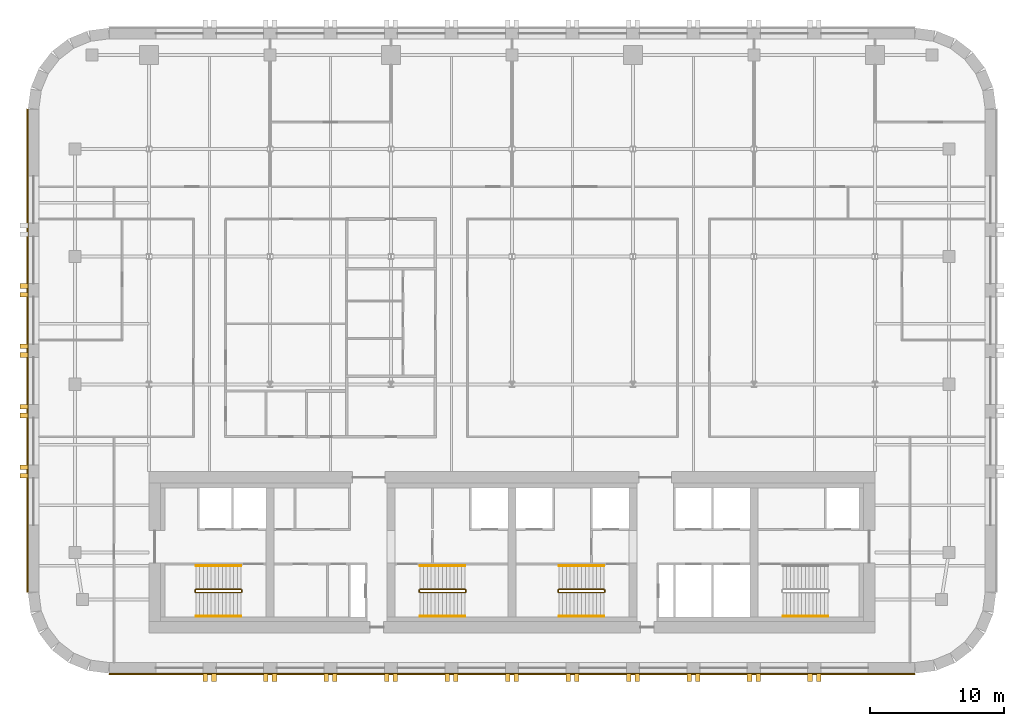
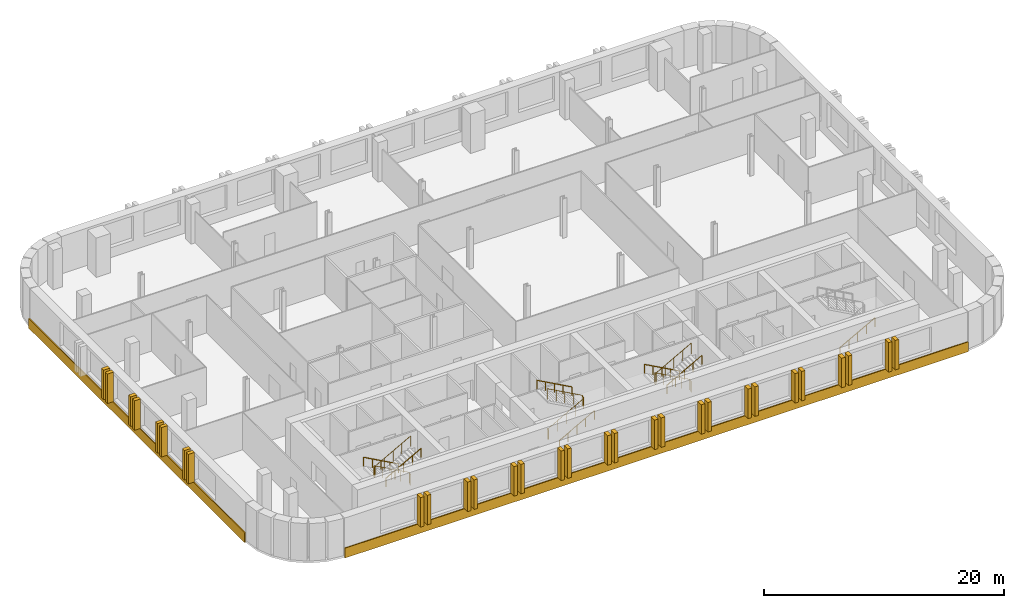
# One storey, part 9 of 10: 32 coverings, 10 railings.
"""IFC4 building model written with IfcOpenShell, lengths in metres."""

import ifcopenshell
import ifcopenshell.guid

model = None  # the IFC model being written
_history = None  # IfcOwnerHistory: only IFC2X3 demands one
_inside = {}  # id of a spatial element -> (the spatial element, [elements in it])
_under = {}  # id of a project, library or spatial element -> (it, [spatial elements below it])
_declared = {}  # id of a project -> (the project, [libraries it declares])
_typed = {}  # id of a type object -> (the type object, [elements of that type])
_made_of = {}  # id of a material, layer set ... -> (it, [elements and type objects made of it])


def new_model(schema):
    """Start an empty IFC model of exactly this schema.

    Asked for "IFC4X3", IfcOpenShell would pick the latest addendum, in which some entities
    have other attributes; the version numbers below select the first issue.
    IFC2X3 requires an IfcOwnerHistory on every rooted entity: one is made here for all.
    """
    global model, _history
    if schema == "IFC4X3":
        model = ifcopenshell.file(schema_version=(4, 3, 0, 0))
    else:
        model = ifcopenshell.file(schema=schema)
    _inside.clear()
    _under.clear()
    _declared.clear()
    _typed.clear()
    _made_of.clear()
    _history = None
    if model.schema == "IFC2X3":
        org = make("IfcOrganization", Name="unknown")
        user = make(
            "IfcPersonAndOrganization",
            ThePerson=make("IfcPerson", FamilyName="unknown"),
            TheOrganization=org,
        )
        app = make(
            "IfcApplication",
            ApplicationDeveloper=org,
            Version="unknown",
            ApplicationFullName="unknown",
            ApplicationIdentifier="unknown",
        )
        _history = make(
            "IfcOwnerHistory",
            OwningUser=user,
            OwningApplication=app,
            ChangeAction="ADDED",
            CreationDate=0,
        )
    return model


def make(cls, **values):
    """One entity of the class cls with the attributes given. An attribute that is None is left unset."""
    return model.create_entity(
        cls, **{name: value for name, value in values.items() if value is not None}
    )


def rooted(cls, **values):
    """An entity with a GlobalId (a new one), such as an element, a storey or a relation."""
    return make(cls, GlobalId=ifcopenshell.guid.new(), OwnerHistory=_history, **values)


def si_unit(unit_type, name, prefix=None):
    """IfcSIUnit, for example si_unit("LENGTHUNIT", "METRE", prefix="MILLI")."""
    return make("IfcSIUnit", UnitType=unit_type, Prefix=prefix, Name=name)


def assignment(units):
    """IfcUnitAssignment: the units of a project."""
    return None if units is None else make("IfcUnitAssignment", Units=units)


def point(xyz):
    """IfcCartesianPoint."""
    return None if xyz is None else make("IfcCartesianPoint", Coordinates=xyz)


def direction(xyz):
    """IfcDirection."""
    return None if xyz is None else make("IfcDirection", DirectionRatios=xyz)


def frame(location, z_axis=None, x_axis=None):
    """IfcAxis2Placement3D, a coordinate frame: its origin and axes. An axis left out is left unset."""
    return make(
        "IfcAxis2Placement3D",
        Location=point(location),
        Axis=direction(z_axis),
        RefDirection=direction(x_axis),
    )


def frame_2d(location, x_axis=None):
    """IfcAxis2Placement2D, a coordinate frame in the plane: its origin and x axis."""
    return make(
        "IfcAxis2Placement2D", Location=point(location), RefDirection=direction(x_axis)
    )


def origin():
    """The frame at (0, 0, 0) with its axes left unset."""
    return frame((0.0, 0.0, 0.0))


def origin_2d():
    """The frame at (0, 0) in the plane with its x axis left unset."""
    return frame_2d((0.0, 0.0))


def place(relative_to, where):
    """IfcLocalPlacement: puts the frame where relative to a parent placement (None: the world)."""
    return make(
        "IfcLocalPlacement", PlacementRelTo=relative_to, RelativePlacement=where
    )


def context(
    kind, dimensions, precision=None, world=None, true_north=None, identifier=None
):
    """IfcGeometricRepresentationContext, for example the 3D "Model" context."""
    return make(
        "IfcGeometricRepresentationContext",
        ContextIdentifier=identifier,
        ContextType=kind,
        CoordinateSpaceDimension=dimensions,
        Precision=precision,
        WorldCoordinateSystem=world,
        TrueNorth=true_north,
    )


def subcontext(parent, identifier, kind, view, scale=None):
    """IfcGeometricRepresentationSubContext, for example "Body" below "Model"."""
    return make(
        "IfcGeometricRepresentationSubContext",
        ContextIdentifier=identifier,
        ContextType=kind,
        ParentContext=parent,
        TargetScale=scale,
        TargetView=view,
    )


def project(units=None, contexts=None):
    """IfcProject with its units and contexts."""
    return rooted(
        "IfcProject",
        Name="project",
        RepresentationContexts=contexts,
        UnitsInContext=assignment(units),
    )


def spatial(cls, under=None, at=None, **own):
    """A site, building, storey or space (cls), placed at a placement, below another one or the project."""
    s = rooted(cls, ObjectPlacement=at, **own)
    if under is not None:
        _under.setdefault(under.id(), (under, []))[1].append(s)
    return s


def polyline(points):
    """IfcPolyline through the points."""
    return make("IfcPolyline", Points=[point(p) for p in points])


def profile(cls, at=None, kind="AREA", **sizes):
    """A parametric profile (cls). Its sizes go by their IFC names, for example OverallWidth=200.0."""
    return make(cls, ProfileType=kind, Position=at, **sizes)


def circle(**sizes):
    """IfcCircleProfileDef."""
    return profile("IfcCircleProfileDef", **sizes)


def outline(outer, holes=None, kind="AREA"):
    """IfcArbitraryClosedProfileDef: a profile drawn as a closed curve; with holes, ...WithVoids."""
    if holes is None:
        return make("IfcArbitraryClosedProfileDef", ProfileType=kind, OuterCurve=outer)
    return make(
        "IfcArbitraryProfileDefWithVoids",
        ProfileType=kind,
        OuterCurve=outer,
        InnerCurves=holes,
    )


def extrude(swept, where, along, depth):
    """IfcExtrudedAreaSolid: the profile swept, set in the frame where, extruded along a direction by depth."""
    return make(
        "IfcExtrudedAreaSolid",
        SweptArea=swept,
        Position=where,
        ExtrudedDirection=direction(along),
        Depth=depth,
    )


def shape(context_of_items, identifier, shape_type, items):
    """IfcShapeRepresentation: the items that make up one representation, for example the "Body"."""
    return make(
        "IfcShapeRepresentation",
        ContextOfItems=context_of_items,
        RepresentationIdentifier=identifier,
        RepresentationType=shape_type,
        Items=items,
    )


def material(Name=None, Category=None):
    """IfcMaterial."""
    return make("IfcMaterial", Name=Name, Category=Category)


def layer(
    of_material, thickness, ventilated=None, Name=None, Category=None, Priority=None
):
    """IfcMaterialLayer: one layer of a wall or slab, of a material (None: an air gap)."""
    return make(
        "IfcMaterialLayer",
        Material=of_material,
        LayerThickness=thickness,
        IsVentilated=ventilated,
        Name=Name,
        Category=Category,
        Priority=Priority,
    )


def layer_set(layers, Name=None):
    """IfcMaterialLayerSet."""
    return make("IfcMaterialLayerSet", MaterialLayers=layers, LayerSetName=Name)


def made_of(thing, what):
    """Note that an element or type object is made of a material, layer set ...; save() writes the relation."""
    if what is not None:
        _made_of.setdefault(what.id(), (what, []))[1].append(thing)
    return thing


def type_object(cls, material=None, **own):
    """A type object (cls), such as IfcWallType, which elements share."""
    return made_of(rooted(cls, **own), material)


def element(
    cls,
    number,
    at=None,
    inside=None,
    cuts=None,
    type_object=None,
    material=None,
    context=None,
    identifier="Body",
    shape_type=None,
    held_by="IfcProductDefinitionShape",
    body=None,
    shapes=None,
    **own,
):
    """One element of the class cls, such as IfcWall. Its Tag is "e" and its number.

    at: its placement. inside: the storey or other place that contains it. cuts: it is an
    opening in that element (IfcRelVoidsElement). A single representation is given by context,
    identifier, shape_type and body (its items); several are given by shapes. held_by: the class
    of the entity that holds the representations. save() writes the other relations.
    """
    e = rooted(cls, Tag="e%d" % number, ObjectPlacement=at, **own)
    if body is not None:
        shapes = [shape(context, identifier, shape_type, body)]
    if shapes is not None:
        e.Representation = make(held_by, Representations=shapes)
    if inside is not None:
        _inside.setdefault(inside.id(), (inside, []))[1].append(e)
    if cuts is not None:
        rooted(
            "IfcRelVoidsElement", RelatingBuildingElement=cuts, RelatedOpeningElement=e
        )
    if type_object is not None:
        _typed.setdefault(type_object.id(), (type_object, []))[1].append(e)
    return made_of(e, material)


def aggregate(whole, parts):
    """IfcRelAggregates: a whole, such as a stair, and the parts it consists of."""
    return rooted("IfcRelAggregates", RelatingObject=whole, RelatedObjects=parts)


def save(model, path):
    """Write the relations noted so far, then the file.

    IfcRelAggregates (storeys below a building ...), IfcRelContainedInSpatialStructure (elements
    in a storey), IfcRelDefinesByType, IfcRelAssociatesMaterial and IfcRelDeclares: one each for
    every whole, place, type object, material and project.
    """
    for whole, parts in _under.values():
        aggregate(whole, parts)
    for where, things in _inside.values():
        rooted(
            "IfcRelContainedInSpatialStructure",
            RelatedElements=things,
            RelatingStructure=where,
        )
    for kind, things in _typed.values():
        rooted("IfcRelDefinesByType", RelatedObjects=things, RelatingType=kind)
    for what, things in _made_of.values():
        rooted("IfcRelAssociatesMaterial", RelatedObjects=things, RelatingMaterial=what)
    for by, libraries in _declared.values():
        rooted("IfcRelDeclares", RelatingContext=by, RelatedDefinitions=libraries)
    model.write(path)


model = new_model("IFC4")

# Units and contexts
model_context = context("Model", 3, precision=1e-05, world=origin(), true_north=direction((0.0, 1.0)))
body_context = subcontext(model_context, "Body", "Model", "MODEL_VIEW")
ifc_project = project(units=[si_unit("LENGTHUNIT", "METRE"), si_unit("AREAUNIT", "SQUARE_METRE"), si_unit("VOLUMEUNIT", "CUBIC_METRE"), si_unit("PLANEANGLEUNIT", "RADIAN"), si_unit("MASSUNIT", "GRAM", prefix="KILO")], contexts=[model_context])

# Site, building, storey
site_placement = place(None, origin())
site = spatial("IfcSite", under=ifc_project, at=site_placement, CompositionType="ELEMENT")
building_placement = place(site_placement, origin())
building = spatial("IfcBuilding", under=site, at=building_placement, Name="Zellij Exchange Tower", CompositionType="ELEMENT")
storey_placement = place(building_placement, frame((0.0, 0.0, 168.5)))
storey = spatial("IfcBuildingStorey", under=building, at=storey_placement, Name="L38", CompositionType="ELEMENT", Elevation=168.5)

# Railings
ifc_material_1 = material(Name="Stainless steel", Category="steel")
railing_type_1 = type_object("IfcRailingType", Name="CORE-RG stair guard", PredefinedType="GUARDRAIL", material=ifc_material_1)
railing_1_placement = place(storey_placement, frame((-20.10009765625, -10.800048828125, 0.0)))
element("IfcRailing", 1, at=railing_1_placement, inside=storey, type_object=railing_type_1, Name="ST1 stair guard L38", PredefinedType="GUARDRAIL", context=body_context, shape_type="SweptSolid", body=[
    extrude(circle(Radius=0.02392578125, at=origin_2d()), frame((0.0, 0.0, 1.076171875), z_axis=(0.0, -1.0, 0.0), x_axis=(1.0, 0.0, 0.0)), (0.0, 0.0, 1.0), 0.14990234375),
    extrude(circle(Radius=0.02392578125, at=origin_2d()), frame((0.0, -0.14990234375, 1.076171875), z_axis=(-0.193691321961, 0.777613689637, 0.598164376644), x_axis=(-0.970351222016, -0.241699205484, 0.0)), (0.0, 0.0, 1.0), 0.257080078125),
    extrude(circle(Radius=0.02392578125, at=origin_2d()), frame((-0.0498046875, 0.050048828125, 1.22998046875), z_axis=(-0.876421534553, 0.0, 0.481544695509), x_axis=(0.0, -1.0, 0.0)), (0.0, 0.0, 1.0), 3.833984375),
    extrude(circle(Radius=0.02392578125, at=origin_2d()), frame((-3.409912109375, 0.050048828125, 3.076171875), z_axis=(-0.707106781187, -0.707106781187, 0.0), x_axis=(0.707106781187, -0.707106781187, 0.0)), (0.0, 0.0, 1.0), 0.07080078125),
    extrude(circle(Radius=0.02392578125, at=origin_2d()), frame((-3.4599609375, 0.0, 3.076171875), z_axis=(0.0, -1.0, 0.0), x_axis=(1.0, 0.0, 0.0)), (0.0, 0.0, 1.0), 0.14990234375),
    extrude(circle(Radius=0.02392578125, at=origin_2d()), frame((-3.4599609375, -0.14990234375, 3.076171875), z_axis=(0.295599637079, -0.295599637079, 0.908428152975), x_axis=(0.707106781187, 0.707106781187, 0.0)), (0.0, 0.0, 1.0), 0.16943359375),
    extrude(circle(Radius=0.02392578125, at=origin_2d()), frame((-3.409912109375, -0.199951171875, 3.22998046875), z_axis=(0.876421534553, 0.0, 0.481544695509), x_axis=(0.0, 1.0, 0.0)), (0.0, 0.0, 1.0), 3.833984375),
    extrude(circle(Radius=0.02099609375, at=origin_2d()), origin(), (0.0, 0.0, 1.0), 1.052001953125),
    extrude(circle(Radius=0.02099609375, at=origin_2d()), frame((0.0, -0.14990234375, 0.0)), (0.0, 0.0, 1.0), 1.052001953125),
    extrude(circle(Radius=0.02099609375, at=origin_2d()), frame((-0.0498046875, 0.050048828125, 0.15380859375)), (0.0, 0.0, 1.0), 1.052001953125),
    extrude(circle(Radius=0.02099609375, at=origin_2d()), frame((-0.889892578125, 0.050048828125, 0.615234375)), (0.0, 0.0, 1.0), 1.052001953125),
    extrude(circle(Radius=0.02099609375, at=origin_2d()), frame((-1.72998046875, 0.050048828125, 1.076904296875)), (0.0, 0.0, 1.0), 1.052001953125),
    extrude(circle(Radius=0.02099609375, at=origin_2d()), frame((-2.56982421875, 0.050048828125, 1.53857421875)), (0.0, 0.0, 1.0), 1.052001953125),
    extrude(circle(Radius=0.02099609375, at=origin_2d()), frame((-3.409912109375, 0.050048828125, 2.0)), (0.0, 0.0, 1.0), 1.052001953125),
    extrude(circle(Radius=0.02099609375, at=origin_2d()), frame((-3.4599609375, 0.0, 2.0)), (0.0, 0.0, 1.0), 1.052001953125),
    extrude(circle(Radius=0.02099609375, at=origin_2d()), frame((-3.4599609375, -0.14990234375, 2.0)), (0.0, 0.0, 1.0), 1.052001953125),
    extrude(circle(Radius=0.02099609375, at=origin_2d()), frame((-3.409912109375, -0.199951171875, 2.15380859375)), (0.0, 0.0, 1.0), 1.052001953125),
    extrude(circle(Radius=0.02099609375, at=origin_2d()), frame((-2.56982421875, -0.199951171875, 2.615234375)), (0.0, 0.0, 1.0), 1.052001953125),
    extrude(circle(Radius=0.02099609375, at=origin_2d()), frame((-1.72998046875, -0.199951171875, 3.076904296875)), (0.0, 0.0, 1.0), 1.052001953125),
    extrude(circle(Radius=0.02099609375, at=origin_2d()), frame((-0.889892578125, -0.199951171875, 3.53857421875)), (0.0, 0.0, 1.0), 1.052001953125),
    extrude(circle(Radius=0.02099609375, at=origin_2d()), frame((-0.0498046875, -0.199951171875, 4.0)), (0.0, 0.0, 1.0), 1.052001953125),
])
railing_2_placement = place(storey_placement, frame((-6.89990234375, -10.949951171875, 0.0)))
element("IfcRailing", 2, at=railing_2_placement, inside=storey, type_object=railing_type_1, Name="ST2 stair guard L38", PredefinedType="GUARDRAIL", context=body_context, shape_type="SweptSolid", body=[
    extrude(circle(Radius=0.02392578125, at=origin_2d()), frame((0.0, 0.0, 1.076171875), z_axis=(0.0, 1.0, 0.0), x_axis=(-1.0, 0.0, 0.0)), (0.0, 0.0, 1.0), 0.14990234375),
    extrude(circle(Radius=0.02392578125, at=origin_2d()), frame((0.0, 0.14990234375, 1.076171875), z_axis=(0.193691321961, -0.777613689637, 0.598164376644), x_axis=(0.970351222016, 0.241699205484, 0.0)), (0.0, 0.0, 1.0), 0.257080078125),
    extrude(circle(Radius=0.02392578125, at=origin_2d()), frame((0.0498046875, -0.050048828125, 1.22998046875), z_axis=(0.876421534553, 0.0, 0.481544695509), x_axis=(0.0, 1.0, 0.0)), (0.0, 0.0, 1.0), 3.833984375),
    extrude(circle(Radius=0.02392578125, at=origin_2d()), frame((3.409912109375, -0.050048828125, 3.076171875), z_axis=(0.707106781187, 0.707106781187, 0.0), x_axis=(-0.707106781187, 0.707106781187, 0.0)), (0.0, 0.0, 1.0), 0.07080078125),
    extrude(circle(Radius=0.02392578125, at=origin_2d()), frame((3.4599609375, 0.0, 3.076171875), z_axis=(0.0, 1.0, 0.0), x_axis=(-1.0, 0.0, 0.0)), (0.0, 0.0, 1.0), 0.14990234375),
    extrude(circle(Radius=0.02392578125, at=origin_2d()), frame((3.4599609375, 0.14990234375, 3.076171875), z_axis=(-0.295599637079, 0.295599637079, 0.908428152975), x_axis=(-0.707106781187, -0.707106781187, 0.0)), (0.0, 0.0, 1.0), 0.16943359375),
    extrude(circle(Radius=0.02392578125, at=origin_2d()), frame((3.409912109375, 0.199951171875, 3.22998046875), z_axis=(-0.876421534553, 0.0, 0.481544695509), x_axis=(0.0, -1.0, 0.0)), (0.0, 0.0, 1.0), 3.833984375),
    extrude(circle(Radius=0.02099609375, at=origin_2d()), origin(), (0.0, 0.0, 1.0), 1.052001953125),
    extrude(circle(Radius=0.02099609375, at=origin_2d()), frame((0.0, 0.14990234375, 0.0)), (0.0, 0.0, 1.0), 1.052001953125),
    extrude(circle(Radius=0.02099609375, at=origin_2d()), frame((0.0498046875, -0.050048828125, 0.15380859375)), (0.0, 0.0, 1.0), 1.052001953125),
    extrude(circle(Radius=0.02099609375, at=origin_2d()), frame((0.889892578125, -0.050048828125, 0.615234375)), (0.0, 0.0, 1.0), 1.052001953125),
    extrude(circle(Radius=0.02099609375, at=origin_2d()), frame((1.72998046875, -0.050048828125, 1.076904296875)), (0.0, 0.0, 1.0), 1.052001953125),
    extrude(circle(Radius=0.02099609375, at=origin_2d()), frame((2.56982421875, -0.050048828125, 1.53857421875)), (0.0, 0.0, 1.0), 1.052001953125),
    extrude(circle(Radius=0.02099609375, at=origin_2d()), frame((3.409912109375, -0.050048828125, 2.0)), (0.0, 0.0, 1.0), 1.052001953125),
    extrude(circle(Radius=0.02099609375, at=origin_2d()), frame((3.4599609375, 0.0, 2.0)), (0.0, 0.0, 1.0), 1.052001953125),
    extrude(circle(Radius=0.02099609375, at=origin_2d()), frame((3.4599609375, 0.14990234375, 2.0)), (0.0, 0.0, 1.0), 1.052001953125),
    extrude(circle(Radius=0.02099609375, at=origin_2d()), frame((3.409912109375, 0.199951171875, 2.15380859375)), (0.0, 0.0, 1.0), 1.052001953125),
    extrude(circle(Radius=0.02099609375, at=origin_2d()), frame((2.56982421875, 0.199951171875, 2.615234375)), (0.0, 0.0, 1.0), 1.052001953125),
    extrude(circle(Radius=0.02099609375, at=origin_2d()), frame((1.72998046875, 0.199951171875, 3.076904296875)), (0.0, 0.0, 1.0), 1.052001953125),
    extrude(circle(Radius=0.02099609375, at=origin_2d()), frame((0.889892578125, 0.199951171875, 3.53857421875)), (0.0, 0.0, 1.0), 1.052001953125),
    extrude(circle(Radius=0.02099609375, at=origin_2d()), frame((0.0498046875, 0.199951171875, 4.0)), (0.0, 0.0, 1.0), 1.052001953125),
])
railing_3_placement = place(storey_placement, frame((6.89990234375, -10.800048828125, 0.0)))
element("IfcRailing", 3, at=railing_3_placement, inside=storey, type_object=railing_type_1, Name="ST3 stair guard L38", PredefinedType="GUARDRAIL", context=body_context, shape_type="SweptSolid", body=[
    extrude(circle(Radius=0.02392578125, at=origin_2d()), frame((0.0, 0.0, 1.076171875), z_axis=(0.0, -1.0, 0.0), x_axis=(1.0, 0.0, 0.0)), (0.0, 0.0, 1.0), 0.14990234375),
    extrude(circle(Radius=0.02392578125, at=origin_2d()), frame((0.0, -0.14990234375, 1.076171875), z_axis=(-0.193691321961, 0.777613689637, 0.598164376644), x_axis=(-0.970351222016, -0.241699205484, 0.0)), (0.0, 0.0, 1.0), 0.257080078125),
    extrude(circle(Radius=0.02392578125, at=origin_2d()), frame((-0.0498046875, 0.050048828125, 1.22998046875), z_axis=(-0.876421534553, 0.0, 0.481544695509), x_axis=(0.0, -1.0, 0.0)), (0.0, 0.0, 1.0), 3.833984375),
    extrude(circle(Radius=0.02392578125, at=origin_2d()), frame((-3.409912109375, 0.050048828125, 3.076171875), z_axis=(-0.707106781187, -0.707106781187, 0.0), x_axis=(0.707106781187, -0.707106781187, 0.0)), (0.0, 0.0, 1.0), 0.07080078125),
    extrude(circle(Radius=0.02392578125, at=origin_2d()), frame((-3.4599609375, 0.0, 3.076171875), z_axis=(0.0, -1.0, 0.0), x_axis=(1.0, 0.0, 0.0)), (0.0, 0.0, 1.0), 0.14990234375),
    extrude(circle(Radius=0.02392578125, at=origin_2d()), frame((-3.4599609375, -0.14990234375, 3.076171875), z_axis=(0.295599637079, -0.295599637079, 0.908428152975), x_axis=(0.707106781187, 0.707106781187, 0.0)), (0.0, 0.0, 1.0), 0.16943359375),
    extrude(circle(Radius=0.02392578125, at=origin_2d()), frame((-3.409912109375, -0.199951171875, 3.22998046875), z_axis=(0.876421534553, 0.0, 0.481544695509), x_axis=(0.0, 1.0, 0.0)), (0.0, 0.0, 1.0), 3.833984375),
    extrude(circle(Radius=0.02099609375, at=origin_2d()), origin(), (0.0, 0.0, 1.0), 1.052001953125),
    extrude(circle(Radius=0.02099609375, at=origin_2d()), frame((0.0, -0.14990234375, 0.0)), (0.0, 0.0, 1.0), 1.052001953125),
    extrude(circle(Radius=0.02099609375, at=origin_2d()), frame((-0.0498046875, 0.050048828125, 0.15380859375)), (0.0, 0.0, 1.0), 1.052001953125),
    extrude(circle(Radius=0.02099609375, at=origin_2d()), frame((-0.889892578125, 0.050048828125, 0.615234375)), (0.0, 0.0, 1.0), 1.052001953125),
    extrude(circle(Radius=0.02099609375, at=origin_2d()), frame((-1.72998046875, 0.050048828125, 1.076904296875)), (0.0, 0.0, 1.0), 1.052001953125),
    extrude(circle(Radius=0.02099609375, at=origin_2d()), frame((-2.56982421875, 0.050048828125, 1.53857421875)), (0.0, 0.0, 1.0), 1.052001953125),
    extrude(circle(Radius=0.02099609375, at=origin_2d()), frame((-3.409912109375, 0.050048828125, 2.0)), (0.0, 0.0, 1.0), 1.052001953125),
    extrude(circle(Radius=0.02099609375, at=origin_2d()), frame((-3.4599609375, 0.0, 2.0)), (0.0, 0.0, 1.0), 1.052001953125),
    extrude(circle(Radius=0.02099609375, at=origin_2d()), frame((-3.4599609375, -0.14990234375, 2.0)), (0.0, 0.0, 1.0), 1.052001953125),
    extrude(circle(Radius=0.02099609375, at=origin_2d()), frame((-3.409912109375, -0.199951171875, 2.15380859375)), (0.0, 0.0, 1.0), 1.052001953125),
    extrude(circle(Radius=0.02099609375, at=origin_2d()), frame((-2.56982421875, -0.199951171875, 2.615234375)), (0.0, 0.0, 1.0), 1.052001953125),
    extrude(circle(Radius=0.02099609375, at=origin_2d()), frame((-1.72998046875, -0.199951171875, 3.076904296875)), (0.0, 0.0, 1.0), 1.052001953125),
    extrude(circle(Radius=0.02099609375, at=origin_2d()), frame((-0.889892578125, -0.199951171875, 3.53857421875)), (0.0, 0.0, 1.0), 1.052001953125),
    extrude(circle(Radius=0.02099609375, at=origin_2d()), frame((-0.0498046875, -0.199951171875, 4.0)), (0.0, 0.0, 1.0), 1.052001953125),
])
railing_type_2 = type_object("IfcRailingType", Name="CORE-RH stair handrail", PredefinedType="HANDRAIL", material=ifc_material_1)
railing_4_placement = place(storey_placement, frame((-20.14990234375, -9.0, 0.15380859375)))
element("IfcRailing", 4, at=railing_4_placement, inside=storey, type_object=railing_type_2, Name="ST1 stair handrail L38", PredefinedType="HANDRAIL", context=body_context, shape_type="SweptSolid", body=[
    extrude(circle(Radius=0.02392578125, at=origin_2d()), frame((0.0, 0.0, 0.8759765625), z_axis=(-0.876421534553, 0.0, 0.481544695509), x_axis=(0.0, -1.0, 0.0)), (0.0, 0.0, 1.0), 3.833984375),
    extrude(circle(Radius=0.02099609375, at=origin_2d()), origin(), (0.0, 0.0, 1.0), 0.851806640625),
    extrude(circle(Radius=0.02099609375, at=origin_2d()), frame((-0.840087890625, 0.0, 0.46142578125)), (0.0, 0.0, 1.0), 0.851806640625),
    extrude(circle(Radius=0.02099609375, at=origin_2d()), frame((-1.68017578125, 0.0, 0.923095703125)), (0.0, 0.0, 1.0), 0.851806640625),
    extrude(circle(Radius=0.02099609375, at=origin_2d()), frame((-2.52001953125, 0.0, 1.384765625)), (0.0, 0.0, 1.0), 0.851806640625),
    extrude(circle(Radius=0.02099609375, at=origin_2d()), frame((-3.360107421875, 0.0, 1.84619140625)), (0.0, 0.0, 1.0), 0.851806640625),
])
for number, where, name in (
    (5, (-23.510009765625, -12.75, 2.15380859375), "ST1 stair handrail L38"),
    (6, (-6.85009765625, -12.75, 0.15380859375), "ST2 stair handrail L38"),
):
    element("IfcRailing", number, at=place(storey_placement, frame(where)), inside=storey, type_object=railing_type_2, Name=name, PredefinedType="HANDRAIL", context=body_context, shape_type="SweptSolid", body=[
        extrude(circle(Radius=0.02392578125, at=origin_2d()), frame((0.0, 0.0, 0.8759765625), z_axis=(0.876421534553, 0.0, 0.481544695509), x_axis=(0.0, 1.0, 0.0)), (0.0, 0.0, 1.0), 3.833984375),
        extrude(circle(Radius=0.02099609375, at=origin_2d()), origin(), (0.0, 0.0, 1.0), 0.851806640625),
        extrude(circle(Radius=0.02099609375, at=origin_2d()), frame((0.840087890625, 0.0, 0.46142578125)), (0.0, 0.0, 1.0), 0.851806640625),
        extrude(circle(Radius=0.02099609375, at=origin_2d()), frame((1.68017578125, 0.0, 0.923095703125)), (0.0, 0.0, 1.0), 0.851806640625),
        extrude(circle(Radius=0.02099609375, at=origin_2d()), frame((2.52001953125, 0.0, 1.384765625)), (0.0, 0.0, 1.0), 0.851806640625),
        extrude(circle(Radius=0.02099609375, at=origin_2d()), frame((3.360107421875, 0.0, 1.84619140625)), (0.0, 0.0, 1.0), 0.851806640625),
    ])
for number, where, name in (
    (7, (-3.489990234375, -9.0, 2.15380859375), "ST2 stair handrail L38"),
    (8, (6.85009765625, -9.0, 0.15380859375), "ST3 stair handrail L38"),
):
    element("IfcRailing", number, at=place(storey_placement, frame(where)), inside=storey, type_object=railing_type_2, Name=name, PredefinedType="HANDRAIL", context=body_context, shape_type="SweptSolid", body=[
        extrude(circle(Radius=0.02392578125, at=origin_2d()), frame((0.0, 0.0, 0.8759765625), z_axis=(-0.876421534553, 0.0, 0.481544695509), x_axis=(0.0, -1.0, 0.0)), (0.0, 0.0, 1.0), 3.833984375),
        extrude(circle(Radius=0.02099609375, at=origin_2d()), origin(), (0.0, 0.0, 1.0), 0.851806640625),
        extrude(circle(Radius=0.02099609375, at=origin_2d()), frame((-0.840087890625, 0.0, 0.46142578125)), (0.0, 0.0, 1.0), 0.851806640625),
        extrude(circle(Radius=0.02099609375, at=origin_2d()), frame((-1.68017578125, 0.0, 0.923095703125)), (0.0, 0.0, 1.0), 0.851806640625),
        extrude(circle(Radius=0.02099609375, at=origin_2d()), frame((-2.52001953125, 0.0, 1.384765625)), (0.0, 0.0, 1.0), 0.851806640625),
        extrude(circle(Radius=0.02099609375, at=origin_2d()), frame((-3.360107421875, 0.0, 1.84619140625)), (0.0, 0.0, 1.0), 0.851806640625),
    ])
for number, where, name in (
    (9, (3.489990234375, -12.75, 2.15380859375), "ST3 stair handrail L38"),
    (10, (20.14990234375, -12.75, 0.15380859375), "ST4 stair handrail L38"),
):
    element("IfcRailing", number, at=place(storey_placement, frame(where)), inside=storey, type_object=railing_type_2, Name=name, PredefinedType="HANDRAIL", context=body_context, shape_type="SweptSolid", body=[
        extrude(circle(Radius=0.02392578125, at=origin_2d()), frame((0.0, 0.0, 0.8759765625), z_axis=(0.876421534553, 0.0, 0.481544695509), x_axis=(0.0, 1.0, 0.0)), (0.0, 0.0, 1.0), 3.833984375),
        extrude(circle(Radius=0.02099609375, at=origin_2d()), origin(), (0.0, 0.0, 1.0), 0.851806640625),
        extrude(circle(Radius=0.02099609375, at=origin_2d()), frame((0.840087890625, 0.0, 0.46142578125)), (0.0, 0.0, 1.0), 0.851806640625),
        extrude(circle(Radius=0.02099609375, at=origin_2d()), frame((1.68017578125, 0.0, 0.923095703125)), (0.0, 0.0, 1.0), 0.851806640625),
        extrude(circle(Radius=0.02099609375, at=origin_2d()), frame((2.52001953125, 0.0, 1.384765625)), (0.0, 0.0, 1.0), 0.851806640625),
        extrude(circle(Radius=0.02099609375, at=origin_2d()), frame((3.360107421875, 0.0, 1.84619140625)), (0.0, 0.0, 1.0), 0.851806640625),
    ])

# Coverings
ifc_material_2 = material(Name="Limestone cladding", Category="masonry")
covering_type_1 = type_object("IfcCoveringType", Name="ENV-CV3 Stone pier 350x600", PredefinedType="CLADDING", material=ifc_material_2)
covering_1_placement = place(storey_placement, frame((0.0, 0.0, 0.800048828125)))
element("IfcCovering", 11, at=covering_1_placement, inside=storey, type_object=covering_type_1, Name="Stone pier", PredefinedType="CLADDING", context=body_context, shape_type="SweptSolid", body=[
    extrude(outline(polyline([(-23.0, -17.0), (-22.64990234375, -17.0), (-22.64990234375, -17.60009765625), (-23.0, -17.60009765625), (-23.0, -17.0)])), origin(), (0.0, 0.0, 1.0), 3.0),
])
covering_2_placement = place(storey_placement, frame((0.0, 0.0, 0.800048828125)))
element("IfcCovering", 12, at=covering_2_placement, inside=storey, type_object=covering_type_1, Name="Stone pier", PredefinedType="CLADDING", context=body_context, shape_type="SweptSolid", body=[
    extrude(outline(polyline([(-22.35009765625, -17.0), (-22.0, -17.0), (-22.0, -17.60009765625), (-22.35009765625, -17.60009765625), (-22.35009765625, -17.0)])), origin(), (0.0, 0.0, 1.0), 3.0),
])
covering_3_placement = place(storey_placement, frame((0.0, 0.0, 0.800048828125)))
element("IfcCovering", 13, at=covering_3_placement, inside=storey, type_object=covering_type_1, Name="Stone pier", PredefinedType="CLADDING", context=body_context, shape_type="SweptSolid", body=[
    extrude(outline(polyline([(-18.5, -17.0), (-18.14990234375, -17.0), (-18.14990234375, -17.60009765625), (-18.5, -17.60009765625), (-18.5, -17.0)])), origin(), (0.0, 0.0, 1.0), 3.0),
])
covering_4_placement = place(storey_placement, frame((0.0, 0.0, 0.800048828125)))
element("IfcCovering", 14, at=covering_4_placement, inside=storey, type_object=covering_type_1, Name="Stone pier", PredefinedType="CLADDING", context=body_context, shape_type="SweptSolid", body=[
    extrude(outline(polyline([(-17.85009765625, -17.0), (-17.5, -17.0), (-17.5, -17.60009765625), (-17.85009765625, -17.60009765625), (-17.85009765625, -17.0)])), origin(), (0.0, 0.0, 1.0), 3.0),
])
covering_5_placement = place(storey_placement, frame((0.0, 0.0, 0.800048828125)))
element("IfcCovering", 15, at=covering_5_placement, inside=storey, type_object=covering_type_1, Name="Stone pier", PredefinedType="CLADDING", context=body_context, shape_type="SweptSolid", body=[
    extrude(outline(polyline([(-14.0, -17.0), (-13.64990234375, -17.0), (-13.64990234375, -17.60009765625), (-14.0, -17.60009765625), (-14.0, -17.0)])), origin(), (0.0, 0.0, 1.0), 3.0),
])
covering_6_placement = place(storey_placement, frame((0.0, 0.0, 0.800048828125)))
element("IfcCovering", 16, at=covering_6_placement, inside=storey, type_object=covering_type_1, Name="Stone pier", PredefinedType="CLADDING", context=body_context, shape_type="SweptSolid", body=[
    extrude(outline(polyline([(-13.35009765625, -17.0), (-13.0, -17.0), (-13.0, -17.60009765625), (-13.35009765625, -17.60009765625), (-13.35009765625, -17.0)])), origin(), (0.0, 0.0, 1.0), 3.0),
])
covering_7_placement = place(storey_placement, frame((0.0, 0.0, 0.800048828125)))
element("IfcCovering", 17, at=covering_7_placement, inside=storey, type_object=covering_type_1, Name="Stone pier", PredefinedType="CLADDING", context=body_context, shape_type="SweptSolid", body=[
    extrude(outline(polyline([(-9.5, -17.0), (-9.14990234375, -17.0), (-9.14990234375, -17.60009765625), (-9.5, -17.60009765625), (-9.5, -17.0)])), origin(), (0.0, 0.0, 1.0), 3.0),
])
covering_8_placement = place(storey_placement, frame((0.0, 0.0, 0.800048828125)))
element("IfcCovering", 18, at=covering_8_placement, inside=storey, type_object=covering_type_1, Name="Stone pier", PredefinedType="CLADDING", context=body_context, shape_type="SweptSolid", body=[
    extrude(outline(polyline([(-8.85009765625, -17.0), (-8.5, -17.0), (-8.5, -17.60009765625), (-8.85009765625, -17.60009765625), (-8.85009765625, -17.0)])), origin(), (0.0, 0.0, 1.0), 3.0),
])
covering_9_placement = place(storey_placement, frame((0.0, 0.0, 0.800048828125)))
element("IfcCovering", 19, at=covering_9_placement, inside=storey, type_object=covering_type_1, Name="Stone pier", PredefinedType="CLADDING", context=body_context, shape_type="SweptSolid", body=[
    extrude(outline(polyline([(-5.0, -17.0), (-4.64990234375, -17.0), (-4.64990234375, -17.60009765625), (-5.0, -17.60009765625), (-5.0, -17.0)])), origin(), (0.0, 0.0, 1.0), 3.0),
])
covering_10_placement = place(storey_placement, frame((0.0, 0.0, 0.800048828125)))
element("IfcCovering", 20, at=covering_10_placement, inside=storey, type_object=covering_type_1, Name="Stone pier", PredefinedType="CLADDING", context=body_context, shape_type="SweptSolid", body=[
    extrude(outline(polyline([(-4.35009765625, -17.0), (-4.0, -17.0), (-4.0, -17.60009765625), (-4.35009765625, -17.60009765625), (-4.35009765625, -17.0)])), origin(), (0.0, 0.0, 1.0), 3.0),
])
covering_11_placement = place(storey_placement, frame((0.0, 0.0, 0.800048828125)))
element("IfcCovering", 21, at=covering_11_placement, inside=storey, type_object=covering_type_1, Name="Stone pier", PredefinedType="CLADDING", context=body_context, shape_type="SweptSolid", body=[
    extrude(outline(polyline([(-0.5, -17.0), (-0.14990234375, -17.0), (-0.14990234375, -17.60009765625), (-0.5, -17.60009765625), (-0.5, -17.0)])), origin(), (0.0, 0.0, 1.0), 3.0),
])
covering_12_placement = place(storey_placement, frame((0.0, 0.0, 0.800048828125)))
element("IfcCovering", 22, at=covering_12_placement, inside=storey, type_object=covering_type_1, Name="Stone pier", PredefinedType="CLADDING", context=body_context, shape_type="SweptSolid", body=[
    extrude(outline(polyline([(0.14990234375, -17.0), (0.5, -17.0), (0.5, -17.60009765625), (0.14990234375, -17.60009765625), (0.14990234375, -17.0)])), origin(), (0.0, 0.0, 1.0), 3.0),
])
covering_13_placement = place(storey_placement, frame((0.0, 0.0, 0.800048828125)))
element("IfcCovering", 23, at=covering_13_placement, inside=storey, type_object=covering_type_1, Name="Stone pier", PredefinedType="CLADDING", context=body_context, shape_type="SweptSolid", body=[
    extrude(outline(polyline([(4.0, -17.0), (4.35009765625, -17.0), (4.35009765625, -17.60009765625), (4.0, -17.60009765625), (4.0, -17.0)])), origin(), (0.0, 0.0, 1.0), 3.0),
])
covering_14_placement = place(storey_placement, frame((0.0, 0.0, 0.800048828125)))
element("IfcCovering", 24, at=covering_14_placement, inside=storey, type_object=covering_type_1, Name="Stone pier", PredefinedType="CLADDING", context=body_context, shape_type="SweptSolid", body=[
    extrude(outline(polyline([(4.64990234375, -17.0), (5.0, -17.0), (5.0, -17.60009765625), (4.64990234375, -17.60009765625), (4.64990234375, -17.0)])), origin(), (0.0, 0.0, 1.0), 3.0),
])
covering_15_placement = place(storey_placement, frame((0.0, 0.0, 0.800048828125)))
element("IfcCovering", 25, at=covering_15_placement, inside=storey, type_object=covering_type_1, Name="Stone pier", PredefinedType="CLADDING", context=body_context, shape_type="SweptSolid", body=[
    extrude(outline(polyline([(8.5, -17.0), (8.85009765625, -17.0), (8.85009765625, -17.60009765625), (8.5, -17.60009765625), (8.5, -17.0)])), origin(), (0.0, 0.0, 1.0), 3.0),
])
covering_16_placement = place(storey_placement, frame((0.0, 0.0, 0.800048828125)))
element("IfcCovering", 26, at=covering_16_placement, inside=storey, type_object=covering_type_1, Name="Stone pier", PredefinedType="CLADDING", context=body_context, shape_type="SweptSolid", body=[
    extrude(outline(polyline([(9.14990234375, -17.0), (9.5, -17.0), (9.5, -17.60009765625), (9.14990234375, -17.60009765625), (9.14990234375, -17.0)])), origin(), (0.0, 0.0, 1.0), 3.0),
])
covering_17_placement = place(storey_placement, frame((0.0, 0.0, 0.800048828125)))
element("IfcCovering", 27, at=covering_17_placement, inside=storey, type_object=covering_type_1, Name="Stone pier", PredefinedType="CLADDING", context=body_context, shape_type="SweptSolid", body=[
    extrude(outline(polyline([(13.0, -17.0), (13.35009765625, -17.0), (13.35009765625, -17.60009765625), (13.0, -17.60009765625), (13.0, -17.0)])), origin(), (0.0, 0.0, 1.0), 3.0),
])
covering_18_placement = place(storey_placement, frame((0.0, 0.0, 0.800048828125)))
element("IfcCovering", 28, at=covering_18_placement, inside=storey, type_object=covering_type_1, Name="Stone pier", PredefinedType="CLADDING", context=body_context, shape_type="SweptSolid", body=[
    extrude(outline(polyline([(13.64990234375, -17.0), (14.0, -17.0), (14.0, -17.60009765625), (13.64990234375, -17.60009765625), (13.64990234375, -17.0)])), origin(), (0.0, 0.0, 1.0), 3.0),
])
covering_19_placement = place(storey_placement, frame((0.0, 0.0, 0.800048828125)))
element("IfcCovering", 29, at=covering_19_placement, inside=storey, type_object=covering_type_1, Name="Stone pier", PredefinedType="CLADDING", context=body_context, shape_type="SweptSolid", body=[
    extrude(outline(polyline([(17.5, -17.0), (17.85009765625, -17.0), (17.85009765625, -17.60009765625), (17.5, -17.60009765625), (17.5, -17.0)])), origin(), (0.0, 0.0, 1.0), 3.0),
])
covering_20_placement = place(storey_placement, frame((0.0, 0.0, 0.800048828125)))
element("IfcCovering", 30, at=covering_20_placement, inside=storey, type_object=covering_type_1, Name="Stone pier", PredefinedType="CLADDING", context=body_context, shape_type="SweptSolid", body=[
    extrude(outline(polyline([(18.14990234375, -17.0), (18.5, -17.0), (18.5, -17.60009765625), (18.14990234375, -17.60009765625), (18.14990234375, -17.0)])), origin(), (0.0, 0.0, 1.0), 3.0),
])
covering_21_placement = place(storey_placement, frame((0.0, 0.0, 0.800048828125)))
element("IfcCovering", 31, at=covering_21_placement, inside=storey, type_object=covering_type_1, Name="Stone pier", PredefinedType="CLADDING", context=body_context, shape_type="SweptSolid", body=[
    extrude(outline(polyline([(22.0, -17.0), (22.35009765625, -17.0), (22.35009765625, -17.60009765625), (22.0, -17.60009765625), (22.0, -17.0)])), origin(), (0.0, 0.0, 1.0), 3.0),
])
covering_22_placement = place(storey_placement, frame((0.0, 0.0, 0.800048828125)))
element("IfcCovering", 32, at=covering_22_placement, inside=storey, type_object=covering_type_1, Name="Stone pier", PredefinedType="CLADDING", context=body_context, shape_type="SweptSolid", body=[
    extrude(outline(polyline([(22.64990234375, -17.0), (23.0, -17.0), (23.0, -17.60009765625), (22.64990234375, -17.60009765625), (22.64990234375, -17.0)])), origin(), (0.0, 0.0, 1.0), 3.0),
])
covering_23_placement = place(storey_placement, frame((0.0, 0.0, 0.800048828125)))
element("IfcCovering", 33, at=covering_23_placement, inside=storey, type_object=covering_type_1, Name="Stone pier", PredefinedType="CLADDING", context=body_context, shape_type="SweptSolid", body=[
    extrude(outline(polyline([(-36.0, 11.993408203125), (-36.0, 11.6435546875), (-36.60009765625, 11.6435546875), (-36.60009765625, 11.993408203125), (-36.0, 11.993408203125)])), origin(), (0.0, 0.0, 1.0), 3.0),
])
covering_24_placement = place(storey_placement, frame((0.0, 0.0, 0.800048828125)))
element("IfcCovering", 34, at=covering_24_placement, inside=storey, type_object=covering_type_1, Name="Stone pier", PredefinedType="CLADDING", context=body_context, shape_type="SweptSolid", body=[
    extrude(outline(polyline([(-36.0, 11.343505859375), (-36.0, 10.993408203125), (-36.60009765625, 10.993408203125), (-36.60009765625, 11.343505859375), (-36.0, 11.343505859375)])), origin(), (0.0, 0.0, 1.0), 3.0),
])
covering_25_placement = place(storey_placement, frame((0.0, 0.0, 0.800048828125)))
element("IfcCovering", 35, at=covering_25_placement, inside=storey, type_object=covering_type_1, Name="Stone pier", PredefinedType="CLADDING", context=body_context, shape_type="SweptSolid", body=[
    extrude(outline(polyline([(-36.0, 7.5), (-36.0, 7.14990234375), (-36.60009765625, 7.14990234375), (-36.60009765625, 7.5), (-36.0, 7.5)])), origin(), (0.0, 0.0, 1.0), 3.0),
])
covering_26_placement = place(storey_placement, frame((0.0, 0.0, 0.800048828125)))
element("IfcCovering", 36, at=covering_26_placement, inside=storey, type_object=covering_type_1, Name="Stone pier", PredefinedType="CLADDING", context=body_context, shape_type="SweptSolid", body=[
    extrude(outline(polyline([(-36.0, 6.85009765625), (-36.0, 6.5), (-36.60009765625, 6.5), (-36.60009765625, 6.85009765625), (-36.0, 6.85009765625)])), origin(), (0.0, 0.0, 1.0), 3.0),
])
covering_27_placement = place(storey_placement, frame((0.0, 0.0, 0.800048828125)))
element("IfcCovering", 37, at=covering_27_placement, inside=storey, type_object=covering_type_1, Name="Stone pier", PredefinedType="CLADDING", context=body_context, shape_type="SweptSolid", body=[
    extrude(outline(polyline([(-36.0, 3.006591796875), (-36.0, 2.656494140625), (-36.60009765625, 2.656494140625), (-36.60009765625, 3.006591796875), (-36.0, 3.006591796875)])), origin(), (0.0, 0.0, 1.0), 3.0),
])
covering_28_placement = place(storey_placement, frame((0.0, 0.0, 0.800048828125)))
element("IfcCovering", 38, at=covering_28_placement, inside=storey, type_object=covering_type_1, Name="Stone pier", PredefinedType="CLADDING", context=body_context, shape_type="SweptSolid", body=[
    extrude(outline(polyline([(-36.0, 2.356689453125), (-36.0, 2.006591796875), (-36.60009765625, 2.006591796875), (-36.60009765625, 2.356689453125), (-36.0, 2.356689453125)])), origin(), (0.0, 0.0, 1.0), 3.0),
])
covering_29_placement = place(storey_placement, frame((0.0, 0.0, 0.800048828125)))
element("IfcCovering", 39, at=covering_29_placement, inside=storey, type_object=covering_type_1, Name="Stone pier", PredefinedType="CLADDING", context=body_context, shape_type="SweptSolid", body=[
    extrude(outline(polyline([(-36.0, -1.48681640625), (-36.0, -1.8369140625), (-36.60009765625, -1.8369140625), (-36.60009765625, -1.48681640625), (-36.0, -1.48681640625)])), origin(), (0.0, 0.0, 1.0), 3.0),
])
covering_30_placement = place(storey_placement, frame((0.0, 0.0, 0.800048828125)))
element("IfcCovering", 40, at=covering_30_placement, inside=storey, type_object=covering_type_1, Name="Stone pier", PredefinedType="CLADDING", context=body_context, shape_type="SweptSolid", body=[
    extrude(outline(polyline([(-36.0, -2.136962890625), (-36.0, -2.48681640625), (-36.60009765625, -2.48681640625), (-36.60009765625, -2.136962890625), (-36.0, -2.136962890625)])), origin(), (0.0, 0.0, 1.0), 3.0),
])
ifc_layer = layer(ifc_material_2, 0.10009765625)
ifc_layer_set = layer_set([ifc_layer], Name="Limestone cladding")
covering_type_2 = type_object("IfcCoveringType", Name="ENV-CV9 Stone spandrel band 100", PredefinedType="CLADDING", material=ifc_layer_set)
covering_31_placement = place(storey_placement, frame((0.0, 0.0, -0.199951171875)))
element("IfcCovering", 41, at=covering_31_placement, inside=storey, type_object=covering_type_2, Name="Stone spandrel band", PredefinedType="CLADDING", context=body_context, shape_type="SweptSolid", body=[
    extrude(outline(polyline([(-29.973876953125, -17.0), (29.973876953125, -17.0), (29.980224609375, -17.10009765625), (-29.980224609375, -17.10009765625), (-29.973876953125, -17.0)])), origin(), (0.0, 0.0, 1.0), 1.0),
])
covering_32_placement = place(storey_placement, frame((0.0, 0.0, -0.199951171875)))
element("IfcCovering", 42, at=covering_32_placement, inside=storey, type_object=covering_type_2, Name="Stone spandrel band", PredefinedType="CLADDING", context=body_context, shape_type="SweptSolid", body=[
    extrude(outline(polyline([(-36.0, 24.973876953125), (-36.0, -10.973876953125), (-36.10009765625, -10.980224609375), (-36.10009765625, 24.980224609375), (-36.0, 24.973876953125)])), origin(), (0.0, 0.0, 1.0), 1.0),
])

save(model, "model.ifc")
